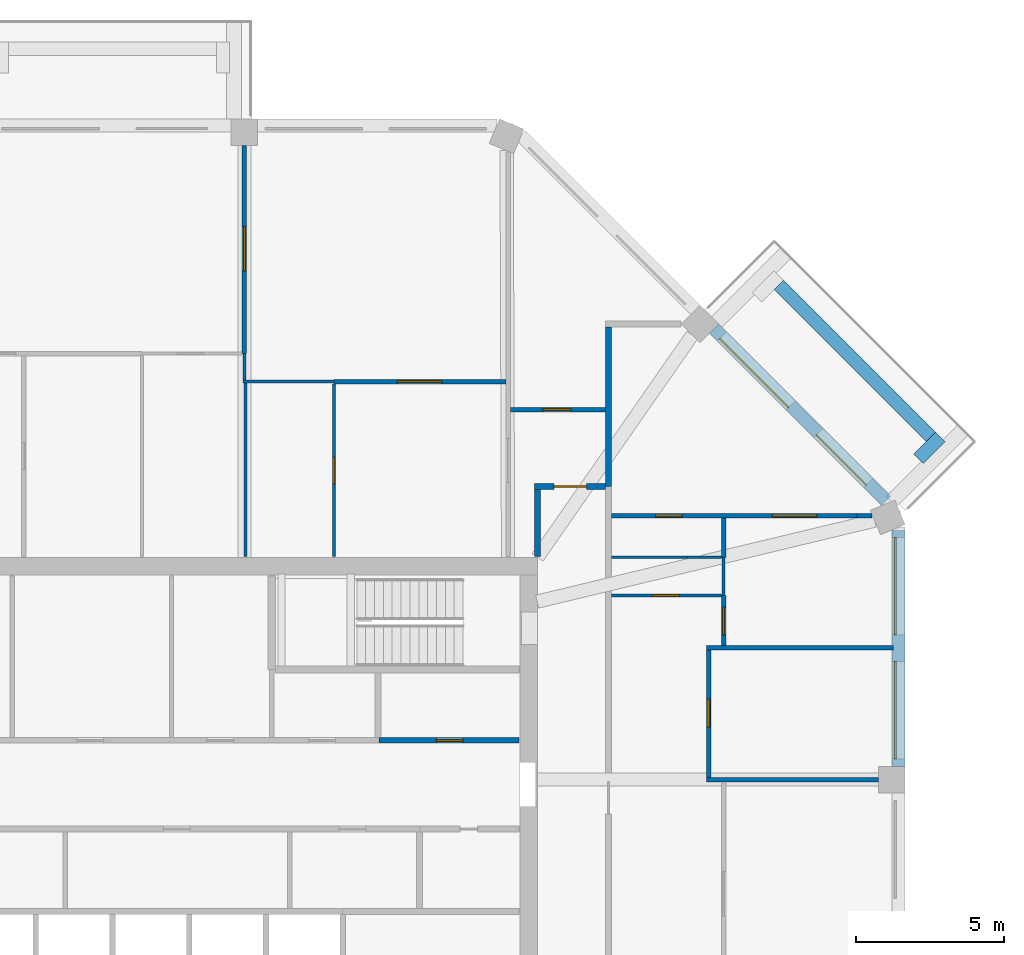
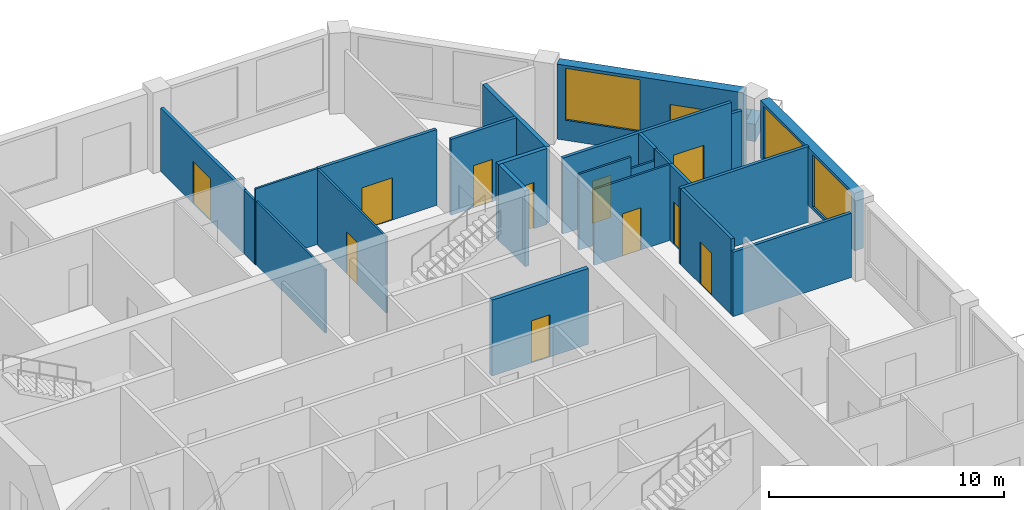
# One storey, part 9 of 11: 26 walls, 12 doors, 3 windows, 15 openings.
"""IFC4 building model written with IfcOpenShell, lengths in metres."""

import ifcopenshell
import ifcopenshell.guid

model = None  # the IFC model being written
_history = None  # IfcOwnerHistory: only IFC2X3 demands one
_inside = {}  # id of a spatial element -> (the spatial element, [elements in it])
_under = {}  # id of a project, library or spatial element -> (it, [spatial elements below it])
_declared = {}  # id of a project -> (the project, [libraries it declares])
_typed = {}  # id of a type object -> (the type object, [elements of that type])
_made_of = {}  # id of a material, layer set ... -> (it, [elements and type objects made of it])


def new_model(schema):
    """Start an empty IFC model of exactly this schema.

    Asked for "IFC4X3", IfcOpenShell would pick the latest addendum, in which some entities
    have other attributes; the version numbers below select the first issue.
    IFC2X3 requires an IfcOwnerHistory on every rooted entity: one is made here for all.
    """
    global model, _history
    if schema == "IFC4X3":
        model = ifcopenshell.file(schema_version=(4, 3, 0, 0))
    else:
        model = ifcopenshell.file(schema=schema)
    _inside.clear()
    _under.clear()
    _declared.clear()
    _typed.clear()
    _made_of.clear()
    _history = None
    if model.schema == "IFC2X3":
        org = make("IfcOrganization", Name="unknown")
        user = make(
            "IfcPersonAndOrganization",
            ThePerson=make("IfcPerson", FamilyName="unknown"),
            TheOrganization=org,
        )
        app = make(
            "IfcApplication",
            ApplicationDeveloper=org,
            Version="unknown",
            ApplicationFullName="unknown",
            ApplicationIdentifier="unknown",
        )
        _history = make(
            "IfcOwnerHistory",
            OwningUser=user,
            OwningApplication=app,
            ChangeAction="ADDED",
            CreationDate=0,
        )
    return model


def make(cls, **values):
    """One entity of the class cls with the attributes given. An attribute that is None is left unset."""
    return model.create_entity(
        cls, **{name: value for name, value in values.items() if value is not None}
    )


def rooted(cls, **values):
    """An entity with a GlobalId (a new one), such as an element, a storey or a relation."""
    return make(cls, GlobalId=ifcopenshell.guid.new(), OwnerHistory=_history, **values)


def si_unit(unit_type, name, prefix=None):
    """IfcSIUnit, for example si_unit("LENGTHUNIT", "METRE", prefix="MILLI")."""
    return make("IfcSIUnit", UnitType=unit_type, Prefix=prefix, Name=name)


def assignment(units):
    """IfcUnitAssignment: the units of a project."""
    return None if units is None else make("IfcUnitAssignment", Units=units)


def point(xyz):
    """IfcCartesianPoint."""
    return None if xyz is None else make("IfcCartesianPoint", Coordinates=xyz)


def direction(xyz):
    """IfcDirection."""
    return None if xyz is None else make("IfcDirection", DirectionRatios=xyz)


def frame(location, z_axis=None, x_axis=None):
    """IfcAxis2Placement3D, a coordinate frame: its origin and axes. An axis left out is left unset."""
    return make(
        "IfcAxis2Placement3D",
        Location=point(location),
        Axis=direction(z_axis),
        RefDirection=direction(x_axis),
    )


def frame_2d(location, x_axis=None):
    """IfcAxis2Placement2D, a coordinate frame in the plane: its origin and x axis."""
    return make(
        "IfcAxis2Placement2D", Location=point(location), RefDirection=direction(x_axis)
    )


def origin():
    """The frame at (0, 0, 0) with its axes left unset."""
    return frame((0.0, 0.0, 0.0))


def place(relative_to, where):
    """IfcLocalPlacement: puts the frame where relative to a parent placement (None: the world)."""
    return make(
        "IfcLocalPlacement", PlacementRelTo=relative_to, RelativePlacement=where
    )


def context(
    kind, dimensions, precision=None, world=None, true_north=None, identifier=None
):
    """IfcGeometricRepresentationContext, for example the 3D "Model" context."""
    return make(
        "IfcGeometricRepresentationContext",
        ContextIdentifier=identifier,
        ContextType=kind,
        CoordinateSpaceDimension=dimensions,
        Precision=precision,
        WorldCoordinateSystem=world,
        TrueNorth=true_north,
    )


def subcontext(parent, identifier, kind, view, scale=None):
    """IfcGeometricRepresentationSubContext, for example "Body" below "Model"."""
    return make(
        "IfcGeometricRepresentationSubContext",
        ContextIdentifier=identifier,
        ContextType=kind,
        ParentContext=parent,
        TargetScale=scale,
        TargetView=view,
    )


def project(units=None, contexts=None):
    """IfcProject with its units and contexts."""
    return rooted(
        "IfcProject",
        Name="project",
        RepresentationContexts=contexts,
        UnitsInContext=assignment(units),
    )


def spatial(cls, under=None, at=None, **own):
    """A site, building, storey or space (cls), placed at a placement, below another one or the project."""
    s = rooted(cls, ObjectPlacement=at, **own)
    if under is not None:
        _under.setdefault(under.id(), (under, []))[1].append(s)
    return s


def profile(cls, at=None, kind="AREA", **sizes):
    """A parametric profile (cls). Its sizes go by their IFC names, for example OverallWidth=200.0."""
    return make(cls, ProfileType=kind, Position=at, **sizes)


def rectangle(**sizes):
    """IfcRectangleProfileDef."""
    return profile("IfcRectangleProfileDef", **sizes)


def extrude(swept, where, along, depth):
    """IfcExtrudedAreaSolid: the profile swept, set in the frame where, extruded along a direction by depth."""
    return make(
        "IfcExtrudedAreaSolid",
        SweptArea=swept,
        Position=where,
        ExtrudedDirection=direction(along),
        Depth=depth,
    )


def shape(context_of_items, identifier, shape_type, items):
    """IfcShapeRepresentation: the items that make up one representation, for example the "Body"."""
    return make(
        "IfcShapeRepresentation",
        ContextOfItems=context_of_items,
        RepresentationIdentifier=identifier,
        RepresentationType=shape_type,
        Items=items,
    )


def material(Name=None, Category=None):
    """IfcMaterial."""
    return make("IfcMaterial", Name=Name, Category=Category)


def layer(
    of_material, thickness, ventilated=None, Name=None, Category=None, Priority=None
):
    """IfcMaterialLayer: one layer of a wall or slab, of a material (None: an air gap)."""
    return make(
        "IfcMaterialLayer",
        Material=of_material,
        LayerThickness=thickness,
        IsVentilated=ventilated,
        Name=Name,
        Category=Category,
        Priority=Priority,
    )


def layer_set(layers, Name=None):
    """IfcMaterialLayerSet."""
    return make("IfcMaterialLayerSet", MaterialLayers=layers, LayerSetName=Name)


def made_of(thing, what):
    """Note that an element or type object is made of a material, layer set ...; save() writes the relation."""
    if what is not None:
        _made_of.setdefault(what.id(), (what, []))[1].append(thing)
    return thing


def type_object(cls, material=None, **own):
    """A type object (cls), such as IfcWallType, which elements share."""
    return made_of(rooted(cls, **own), material)


def element(
    cls,
    number,
    at=None,
    inside=None,
    cuts=None,
    type_object=None,
    material=None,
    context=None,
    identifier="Body",
    shape_type=None,
    held_by="IfcProductDefinitionShape",
    body=None,
    shapes=None,
    **own,
):
    """One element of the class cls, such as IfcWall. Its Tag is "e" and its number.

    at: its placement. inside: the storey or other place that contains it. cuts: it is an
    opening in that element (IfcRelVoidsElement). A single representation is given by context,
    identifier, shape_type and body (its items); several are given by shapes. held_by: the class
    of the entity that holds the representations. save() writes the other relations.
    """
    e = rooted(cls, Tag="e%d" % number, ObjectPlacement=at, **own)
    if body is not None:
        shapes = [shape(context, identifier, shape_type, body)]
    if shapes is not None:
        e.Representation = make(held_by, Representations=shapes)
    if inside is not None:
        _inside.setdefault(inside.id(), (inside, []))[1].append(e)
    if cuts is not None:
        rooted(
            "IfcRelVoidsElement", RelatingBuildingElement=cuts, RelatedOpeningElement=e
        )
    if type_object is not None:
        _typed.setdefault(type_object.id(), (type_object, []))[1].append(e)
    return made_of(e, material)


def fill(opening, filler):
    """IfcRelFillsElement: the door or window that sits in an opening."""
    return rooted(
        "IfcRelFillsElement",
        RelatingOpeningElement=opening,
        RelatedBuildingElement=filler,
    )


def aggregate(whole, parts):
    """IfcRelAggregates: a whole, such as a stair, and the parts it consists of."""
    return rooted("IfcRelAggregates", RelatingObject=whole, RelatedObjects=parts)


def save(model, path):
    """Write the relations noted so far, then the file.

    IfcRelAggregates (storeys below a building ...), IfcRelContainedInSpatialStructure (elements
    in a storey), IfcRelDefinesByType, IfcRelAssociatesMaterial and IfcRelDeclares: one each for
    every whole, place, type object, material and project.
    """
    for whole, parts in _under.values():
        aggregate(whole, parts)
    for where, things in _inside.values():
        rooted(
            "IfcRelContainedInSpatialStructure",
            RelatedElements=things,
            RelatingStructure=where,
        )
    for kind, things in _typed.values():
        rooted("IfcRelDefinesByType", RelatedObjects=things, RelatingType=kind)
    for what, things in _made_of.values():
        rooted("IfcRelAssociatesMaterial", RelatedObjects=things, RelatingMaterial=what)
    for by, libraries in _declared.values():
        rooted("IfcRelDeclares", RelatingContext=by, RelatedDefinitions=libraries)
    model.write(path)


model = new_model("IFC4")

# Units and contexts
model_context = context("Model", 3, precision=1e-05, world=origin(), true_north=direction((0.0, 1.0)))
body_context = subcontext(model_context, "Body", "Model", "MODEL_VIEW")
ifc_project = project(units=[si_unit("LENGTHUNIT", "METRE"), si_unit("AREAUNIT", "SQUARE_METRE"), si_unit("VOLUMEUNIT", "CUBIC_METRE"), si_unit("PLANEANGLEUNIT", "RADIAN"), si_unit("MASSUNIT", "GRAM", prefix="KILO")], contexts=[model_context])

# Site, building, storey
site_placement = place(None, origin())
site = spatial("IfcSite", under=ifc_project, at=site_placement, CompositionType="ELEMENT")
building_placement = place(site_placement, origin())
building = spatial("IfcBuilding", under=site, at=building_placement, Name="Msitu Wima Residences", CompositionType="ELEMENT")
storey_placement = place(building_placement, frame((0.0, 0.0, 297.89990234375)))
storey = spatial("IfcBuildingStorey", under=building, at=storey_placement, Name="L69", CompositionType="ELEMENT", Elevation=297.89990234375)

# Walls
ifc_material_1 = material(Name="Facing brick")
ifc_layer_1 = layer(ifc_material_1, 0.06494140625, Name="Facing brick")
ifc_material_2 = material(Name="Concrete C40/50", Category="concrete")
ifc_layer_2 = layer(ifc_material_2, 0.156005859375, Name="Concrete C40/50")
ifc_material_3 = material(Name="Waterproofing membrane")
ifc_layer_3 = layer(ifc_material_3, 0.00390625, Name="Waterproofing membrane")
ifc_material_4 = material(Name="Planting soil and planting")
ifc_layer_4 = layer(ifc_material_4, 0.22509765625, Name="Planting soil and planting")
ifc_layer_set_1 = layer_set([ifc_layer_1, ifc_layer_2, ifc_layer_3, ifc_layer_4], Name="Concrete C40/50")
wall_type_1 = type_object("IfcWallType", Name="Balcony planter PLANTER PL450", PredefinedType="USERDEFINED", material=ifc_layer_set_1)
wall_1_placement = place(storey_placement, frame((27.725830078125, 16.0751953125, 0.0), z_axis=(0.0, 0.0, 1.0), x_axis=(-0.707106781187, 0.707106781187, 0.0)))
element("IfcWall", 1, at=wall_1_placement, inside=storey, type_object=wall_type_1, Name="Balcony planter NE0 L69", ObjectType="PLANTER", PredefinedType="USERDEFINED", context=body_context, shape_type="SweptSolid", body=[
    extrude(rectangle(XDim=7.288330078125, YDim=0.449951171875, at=frame_2d((3.64404296875, 0.0))), origin(), (0.0, 0.0, 1.0), 0.900146484375),
])
wall_2_placement = place(storey_placement, frame((27.301513671875, 15.332763671875, 0.0), z_axis=(0.0, 0.0, 1.0), x_axis=(0.707106781187, 0.707106781187, 0.0)))
element("IfcWall", 2, at=wall_2_placement, inside=storey, type_object=wall_type_1, Name="Balcony planter NE0 L69", ObjectType="PLANTER", PredefinedType="USERDEFINED", context=body_context, shape_type="SweptSolid", body=[
    extrude(rectangle(XDim=1.050048828125, YDim=0.449951171875, at=frame_2d((0.52490234375, 0.0))), origin(), (0.0, 0.0, 1.0), 0.900146484375),
])

# Wall, openings, windows
ifc_material_5 = material(Name="Brick (red buff mix)", Category="masonry")
ifc_layer_5 = layer(ifc_material_5, 0.449951171875)
ifc_layer_set_2 = layer_set([ifc_layer_5], Name="Brick (red buff mix)")
wall_type_2 = type_object("IfcWallType", Name="Brick infill wall BW450", PredefinedType="SOLIDWALL", material=ifc_layer_set_2)
wall_3_placement = place(storey_placement, frame((26.625, 4.918701171875, 0.900146484375), z_axis=(0.0, 0.0, 1.0), x_axis=(0.0, 1.0, 0.0)))
wall_3 = element("IfcWall", 3, at=wall_3_placement, inside=storey, type_object=wall_type_2, Name="Brick infill wall L69 E2", PredefinedType="SOLIDWALL", context=body_context, shape_type="SweptSolid", body=[
    extrude(rectangle(XDim=8.0, YDim=0.449951171875, at=frame_2d((4.0, 0.0))), origin(), (0.0, 0.0, 1.0), 3.0),
])
opening_1_placement = place(wall_3_placement, frame((0.25, 0.0, 0.14990234375)))
opening_1 = element("IfcOpeningElement", 4, at=opening_1_placement, cuts=wall_3, Name="Opening W68-70.004", PredefinedType="OPENING", context=body_context, shape_type="SweptSolid", body=[
    extrude(rectangle(XDim=3.300048828125, YDim=2.699951171875, at=frame_2d((1.64990234375, 1.35009765625))), frame((0.0, 0.23486328125, 0.0), z_axis=(0.0, -1.0, 0.0), x_axis=(1.0, 0.0, 0.0)), (0.0, 0.0, 1.0), 0.469970703125),
])
opening_2_placement = place(wall_3_placement, frame((4.4501953125, 0.0, 0.14990234375)))
opening_2 = element("IfcOpeningElement", 5, at=opening_2_placement, cuts=wall_3, Name="Opening W68-70.005", PredefinedType="OPENING", context=body_context, shape_type="SweptSolid", body=[
    extrude(rectangle(XDim=3.300048828125, YDim=2.699951171875, at=frame_2d((1.64990234375, 1.35009765625))), frame((0.0, 0.23486328125, 0.0), z_axis=(0.0, -1.0, 0.0), x_axis=(1.0, 0.0, 0.0)), (0.0, 0.0, 1.0), 0.469970703125),
])
ifc_material_6 = material(Name="Anodised aluminium, bronze finish, clear low-emissivity double glazing", Category="aluminium")
window_type = type_object("IfcWindowType", Name="Window W3300x2700", PartitioningType="DOUBLE_PANEL_VERTICAL", PredefinedType="WINDOW", material=ifc_material_6)
window_1_placement = place(opening_1_placement, origin())
window_1 = element("IfcWindow", 6, at=window_1_placement, inside=storey, type_object=window_type, Name="Window L69 E2.1", OverallHeight=2.699951171875, OverallWidth=3.300048828125, PartitioningType="SINGLE_PANEL", PredefinedType="WINDOW", context=body_context, shape_type="SweptSolid", body=[
    extrude(rectangle(XDim=3.300048828125, YDim=2.699951171875, at=frame_2d((1.64990234375, 1.35009765625))), frame((0.0, 0.135009765625, 0.0), z_axis=(0.0, -1.0, 0.0), x_axis=(1.0, 0.0, 0.0)), (0.0, 0.0, 1.0), 0.06005859375),
])
fill(opening_1, window_1)
window_2_placement = place(opening_2_placement, origin())
window_2 = element("IfcWindow", 7, at=window_2_placement, inside=storey, type_object=window_type, Name="Window L69 E2.2", OverallHeight=2.699951171875, OverallWidth=3.300048828125, PartitioningType="SINGLE_PANEL", PredefinedType="WINDOW", context=body_context, shape_type="SweptSolid", body=[
    extrude(rectangle(XDim=3.300048828125, YDim=2.699951171875, at=frame_2d((1.64990234375, 1.35009765625))), frame((0.0, 0.135009765625, 0.0), z_axis=(0.0, -1.0, 0.0), x_axis=(1.0, 0.0, 0.0)), (0.0, 0.0, 1.0), 0.06005859375),
])
fill(opening_2, window_2)

# Wall, openings, door, window
wall_4_placement = place(storey_placement, frame((26.214599609375, 13.909423828125, 0.0), z_axis=(0.0, 0.0, 1.0), x_axis=(-0.707106781187, 0.707106781187, 0.0)))
wall_4 = element("IfcWall", 8, at=wall_4_placement, inside=storey, type_object=wall_type_2, Name="Brick infill wall L69 NE0", PredefinedType="SOLIDWALL", context=body_context, shape_type="SweptSolid", body=[
    extrude(rectangle(XDim=8.251220703125, YDim=0.449951171875, at=frame_2d((4.12548828125, 0.0))), origin(), (0.0, 0.0, 1.0), 3.900146484375),
])
opening_3_placement = place(wall_4_placement, frame((0.86279296875, 0.0, 0.0)))
opening_3 = element("IfcOpeningElement", 9, at=opening_3_placement, cuts=wall_4, Name="Opening D68-70.003", PredefinedType="OPENING", context=body_context, shape_type="SweptSolid", body=[
    extrude(rectangle(XDim=2.39990234375, YDim=2.699951171875, at=frame_2d((1.199951171875, 1.35009765625))), frame((0.0, 0.23486328125, 0.0), z_axis=(0.0, -1.0, 0.0), x_axis=(1.0, 0.0, 0.0)), (0.0, 0.0, 1.0), 0.469970703125),
])
opening_4_placement = place(wall_4_placement, frame((4.57568359375, 0.0, 1.050048828125)))
opening_4 = element("IfcOpeningElement", 10, at=opening_4_placement, cuts=wall_4, Name="Opening W68-70.011", PredefinedType="OPENING", context=body_context, shape_type="SweptSolid", body=[
    extrude(rectangle(XDim=3.300048828125, YDim=2.699951171875, at=frame_2d((1.64990234375, 1.35009765625))), frame((0.0, 0.23486328125, 0.0), z_axis=(0.0, -1.0, 0.0), x_axis=(1.0, 0.0, 0.0)), (0.0, 0.0, 1.0), 0.469970703125),
])
door_type_1 = type_object("IfcDoorType", Name="Balcony door D2400x2700", OperationType="SLIDING_TO_LEFT", PredefinedType="DOOR", material=ifc_material_6)
door_1_placement = place(opening_3_placement, origin())
door_1 = element("IfcDoor", 11, at=door_1_placement, inside=storey, type_object=door_type_1, Name="Balcony door L69 NE0", OperationType="SINGLE_SWING_LEFT", OverallHeight=2.699951171875, OverallWidth=2.39990234375, PredefinedType="DOOR", context=body_context, shape_type="SweptSolid", body=[
    extrude(rectangle(XDim=2.39990234375, YDim=2.699951171875, at=frame_2d((1.199951171875, 1.35009765625))), frame((0.0, 0.1298828125, 0.0), z_axis=(0.0, -1.0, 0.0), x_axis=(1.0, 0.0, 0.0)), (0.0, 0.0, 1.0), 0.050048828125),
])
fill(opening_3, door_1)
window_3_placement = place(opening_4_placement, origin())
window_3 = element("IfcWindow", 12, at=window_3_placement, inside=storey, type_object=window_type, Name="Window L69 NE0.2", OverallHeight=2.699951171875, OverallWidth=3.300048828125, PartitioningType="SINGLE_PANEL", PredefinedType="WINDOW", context=body_context, shape_type="SweptSolid", body=[
    extrude(rectangle(XDim=3.300048828125, YDim=2.699951171875, at=frame_2d((1.64990234375, 1.35009765625))), frame((0.0, 0.135009765625, 0.0), z_axis=(0.0, -1.0, 0.0), x_axis=(1.0, 0.0, 0.0)), (0.0, 0.0, 1.0), 0.06005859375),
])
fill(opening_4, window_3)

# Wall
ifc_material_7 = material(Name="Plaster")
ifc_layer_6 = layer(ifc_material_7, 0.011962890625, Name="Plaster")
ifc_material_8 = material(Name="Concrete blockwork", Category="masonry")
ifc_layer_7 = layer(ifc_material_8, 0.176025390625, Name="Concrete blockwork")
ifc_layer_8 = layer(ifc_material_7, 0.011962890625, Name="Plaster")
ifc_layer_set_3 = layer_set([ifc_layer_6, ifc_layer_7, ifc_layer_8], Name="Concrete blockwork")
wall_type_3 = type_object("IfcWallType", Name="Corridor wall FW200", PredefinedType="PARTITIONING", material=ifc_layer_set_3)
wall_5_placement = place(storey_placement, frame((14.39990234375, 12.030029296875, 0.0), z_axis=(0.0, 0.0, 1.0), x_axis=(0.0, 1.0, 0.0)))
element("IfcWall", 13, at=wall_5_placement, inside=storey, type_object=wall_type_3, Name="Corridor wall", PredefinedType="PARTITIONING", context=body_context, shape_type="SweptSolid", body=[
    extrude(rectangle(XDim=2.27001953125, YDim=0.199951171875, at=frame_2d((1.135009765625, 0.0))), origin(), (0.0, 0.0, 1.0), 3.9501953125),
])

# Wall, opening, door
wall_6_placement = place(storey_placement, frame((14.300048828125, 14.39990234375, 0.0), z_axis=(0.0, 0.0, 1.0), x_axis=(1.0, 0.0, 0.0)))
wall_6 = element("IfcWall", 14, at=wall_6_placement, inside=storey, type_object=wall_type_3, Name="Corridor wall", PredefinedType="PARTITIONING", context=body_context, shape_type="SweptSolid", body=[
    extrude(rectangle(XDim=2.39990234375, YDim=0.199951171875, at=frame_2d((1.199951171875, 0.0))), origin(), (0.0, 0.0, 1.0), 3.9501953125),
])
opening_5_placement = place(wall_6_placement, frame((0.64990234375, 0.0, 0.0)))
opening_5 = element("IfcOpeningElement", 15, at=opening_5_placement, cuts=wall_6, Name="Opening D68-70.021", PredefinedType="OPENING", context=body_context, shape_type="SweptSolid", body=[
    extrude(rectangle(XDim=1.10009765625, YDim=2.39990234375, at=frame_2d((0.550048828125, 1.199951171875))), frame((0.0, 0.10986328125, 0.0), z_axis=(0.0, -1.0, 0.0), x_axis=(1.0, 0.0, 0.0)), (0.0, 0.0, 1.0), 0.219970703125),
])
ifc_material_9 = material(Name="Timber flush door, fire resisting, self-closing", Category="wood")
door_type_2 = type_object("IfcDoorType", Name="Flat entrance door D01 1100x2400", OperationType="SINGLE_SWING_LEFT", PredefinedType="DOOR", material=ifc_material_9)
door_2_placement = place(opening_5_placement, origin())
door_2 = element("IfcDoor", 16, at=door_2_placement, inside=storey, type_object=door_type_2, Name="Flat entrance door", OperationType="SINGLE_SWING_RIGHT", OverallHeight=2.39990234375, OverallWidth=1.10009765625, PredefinedType="DOOR", context=body_context, shape_type="SweptSolid", body=[
    extrude(rectangle(XDim=1.10009765625, YDim=2.39990234375, at=frame_2d((0.550048828125, 1.199951171875))), frame((0.0, 0.02490234375, 0.0), z_axis=(0.0, -1.0, 0.0), x_axis=(1.0, 0.0, 0.0)), (0.0, 0.0, 1.0), 0.050048828125),
])
fill(opening_5, door_2)

ifc_layer_9 = layer(ifc_material_7, 0.011962890625, Name="Plaster")
ifc_layer_10 = layer(ifc_material_8, 0.1259765625, Name="Concrete blockwork")
ifc_layer_11 = layer(ifc_material_7, 0.011962890625, Name="Plaster")
ifc_layer_set_4 = layer_set([ifc_layer_9, ifc_layer_10, ifc_layer_11], Name="Concrete blockwork")
wall_type_4 = type_object("IfcWallType", Name="Partition PW150", PredefinedType="PARTITIONING", material=ifc_layer_set_4)
wall_7_placement = place(storey_placement, frame((4.46875, 18.89990234375, 0.0), z_axis=(0.0, 0.0, 1.0), x_axis=(0.0, 1.0, 0.0)))
wall_7 = element("IfcWall", 17, at=wall_7_placement, inside=storey, type_object=wall_type_4, Name="Partition", PredefinedType="PARTITIONING", context=body_context, shape_type="SweptSolid", body=[
    extrude(rectangle(XDim=7.050048828125, YDim=0.14990234375, at=frame_2d((3.52490234375, 0.0))), origin(), (0.0, 0.0, 1.0), 3.300048828125),
])
opening_6_placement = place(wall_7_placement, frame((2.800048828125, 0.0, 0.0)))
opening_6 = element("IfcOpeningElement", 18, at=opening_6_placement, cuts=wall_7, Name="Opening D68-70.029", PredefinedType="OPENING", context=body_context, shape_type="SweptSolid", body=[
    extrude(rectangle(XDim=1.5, YDim=2.199951171875, at=frame_2d((0.75, 1.10009765625))), frame((0.0, 0.0849609375, 0.0), z_axis=(0.0, -1.0, 0.0), x_axis=(1.0, 0.0, 0.0)), (0.0, 0.0, 1.0), 0.169921875),
])
ifc_material_10 = material(Name="Timber double door", Category="wood")
door_type_3 = type_object("IfcDoorType", Name="Double door D04 1500x2200", OperationType="DOUBLE_DOOR_SINGLE_SWING", PredefinedType="DOOR", material=ifc_material_10)
door_3_placement = place(opening_6_placement, origin())
door_3 = element("IfcDoor", 19, at=door_3_placement, inside=storey, type_object=door_type_3, Name="Double door", OperationType="DOUBLE_DOOR_SINGLE_SWING", OverallHeight=2.199951171875, OverallWidth=1.5, PredefinedType="DOOR", context=body_context, shape_type="SweptSolid", body=[
    extrude(rectangle(XDim=1.5, YDim=2.199951171875, at=frame_2d((0.75, 1.10009765625))), frame((0.0, 0.02490234375, 0.0), z_axis=(0.0, -1.0, 0.0), x_axis=(1.0, 0.0, 0.0)), (0.0, 0.0, 1.0), 0.050048828125),
])
fill(opening_6, door_3)

wall_8_placement = place(storey_placement, frame((7.5, 17.949951171875, 0.0), z_axis=(0.0, 0.0, 1.0), x_axis=(1.0, 0.0, 0.0)))
wall_8 = element("IfcWall", 20, at=wall_8_placement, inside=storey, type_object=wall_type_4, Name="Partition", PredefinedType="PARTITIONING", context=body_context, shape_type="SweptSolid", body=[
    extrude(rectangle(XDim=5.830810546875, YDim=0.14990234375, at=frame_2d((2.91552734375, 0.0))), origin(), (0.0, 0.0, 1.0), 3.9501953125),
])
opening_7_placement = place(wall_8_placement, frame((2.14990234375, 0.0, 0.0)))
opening_7 = element("IfcOpeningElement", 21, at=opening_7_placement, cuts=wall_8, Name="Opening D68-70.026", PredefinedType="OPENING", context=body_context, shape_type="SweptSolid", body=[
    extrude(rectangle(XDim=1.5, YDim=2.199951171875, at=frame_2d((0.75, 1.10009765625))), frame((0.0, 0.0849609375, 0.0), z_axis=(0.0, -1.0, 0.0), x_axis=(1.0, 0.0, 0.0)), (0.0, 0.0, 1.0), 0.169921875),
])
door_4_placement = place(opening_7_placement, origin())
door_4 = element("IfcDoor", 22, at=door_4_placement, inside=storey, type_object=door_type_3, Name="Double door", OperationType="DOUBLE_DOOR_SINGLE_SWING", OverallHeight=2.199951171875, OverallWidth=1.5, PredefinedType="DOOR", context=body_context, shape_type="SweptSolid", body=[
    extrude(rectangle(XDim=1.5, YDim=2.199951171875, at=frame_2d((0.75, 1.10009765625))), frame((0.0, 0.02490234375, 0.0), z_axis=(0.0, -1.0, 0.0), x_axis=(1.0, 0.0, 0.0)), (0.0, 0.0, 1.0), 0.050048828125),
])
fill(opening_7, door_4)

wall_9_placement = place(storey_placement, frame((13.48095703125, 17.0, 0.0), z_axis=(0.0, 0.0, 1.0), x_axis=(1.0, 0.0, 0.0)))
wall_9 = element("IfcWall", 23, at=wall_9_placement, inside=storey, type_object=wall_type_4, Name="Partition", PredefinedType="PARTITIONING", context=body_context, shape_type="SweptSolid", body=[
    extrude(rectangle(XDim=3.218994140625, YDim=0.14990234375, at=frame_2d((1.609375, 0.0))), origin(), (0.0, 0.0, 1.0), 3.9501953125),
])
opening_8_placement = place(wall_9_placement, frame((1.10009765625, 0.0, 0.0)))
opening_8 = element("IfcOpeningElement", 24, at=opening_8_placement, cuts=wall_9, Name="Opening D68-70.027", PredefinedType="OPENING", context=body_context, shape_type="SweptSolid", body=[
    extrude(rectangle(XDim=0.949951171875, YDim=2.199951171875, at=frame_2d((0.47509765625, 1.10009765625))), frame((0.0, 0.0849609375, 0.0), z_axis=(0.0, -1.0, 0.0), x_axis=(1.0, 0.0, 0.0)), (0.0, 0.0, 1.0), 0.169921875),
])
ifc_material_11 = material(Name="Timber flush door", Category="wood")
door_type_4 = type_object("IfcDoorType", Name="Room door D12 950x2200", OperationType="SINGLE_SWING_LEFT", PredefinedType="DOOR", material=ifc_material_11)
door_5_placement = place(opening_8_placement, origin())
door_5 = element("IfcDoor", 25, at=door_5_placement, inside=storey, type_object=door_type_4, Name="Room door", OperationType="SINGLE_SWING_LEFT", OverallHeight=2.199951171875, OverallWidth=0.949951171875, PredefinedType="DOOR", context=body_context, shape_type="SweptSolid", body=[
    extrude(rectangle(XDim=0.949951171875, YDim=2.199951171875, at=frame_2d((0.47509765625, 1.10009765625))), frame((0.0, 0.02490234375, 0.0), z_axis=(0.0, -1.0, 0.0), x_axis=(1.0, 0.0, 0.0)), (0.0, 0.0, 1.0), 0.050048828125),
])
fill(opening_8, door_5)

# Wall, openings, doors
wall_10_placement = place(storey_placement, frame((16.89990234375, 13.406005859375, 0.0), z_axis=(0.0, 0.0, 1.0), x_axis=(1.0, 0.0, 0.0)))
wall_10 = element("IfcWall", 26, at=wall_10_placement, inside=storey, type_object=wall_type_4, Name="Partition", PredefinedType="PARTITIONING", context=body_context, shape_type="SweptSolid", body=[
    extrude(rectangle(XDim=8.32421875, YDim=0.14990234375, at=frame_2d((4.162109375, 0.0))), origin(), (0.0, 0.0, 1.0), 3.9501953125),
])
opening_9_placement = place(wall_10_placement, frame((5.449951171875, 0.0, 0.0)))
opening_9 = element("IfcOpeningElement", 27, at=opening_9_placement, cuts=wall_10, Name="Opening D68-70.017", PredefinedType="OPENING", context=body_context, shape_type="SweptSolid", body=[
    extrude(rectangle(XDim=1.5, YDim=2.199951171875, at=frame_2d((0.75, 1.10009765625))), frame((0.0, 0.0849609375, 0.0), z_axis=(0.0, -1.0, 0.0), x_axis=(1.0, 0.0, 0.0)), (0.0, 0.0, 1.0), 0.169921875),
])
opening_10_placement = place(wall_10_placement, frame((1.5, 0.0, 0.0)))
opening_10 = element("IfcOpeningElement", 28, at=opening_10_placement, cuts=wall_10, Name="Opening D68-70.019", PredefinedType="OPENING", context=body_context, shape_type="SweptSolid", body=[
    extrude(rectangle(XDim=0.89990234375, YDim=2.199951171875, at=frame_2d((0.449951171875, 1.10009765625))), frame((0.0, 0.0849609375, 0.0), z_axis=(0.0, -1.0, 0.0), x_axis=(1.0, 0.0, 0.0)), (0.0, 0.0, 1.0), 0.169921875),
])
door_6_placement = place(opening_9_placement, origin())
door_6 = element("IfcDoor", 29, at=door_6_placement, inside=storey, type_object=door_type_3, Name="Double door", OperationType="DOUBLE_DOOR_SINGLE_SWING", OverallHeight=2.199951171875, OverallWidth=1.5, PredefinedType="DOOR", context=body_context, shape_type="SweptSolid", body=[
    extrude(rectangle(XDim=1.5, YDim=2.199951171875, at=frame_2d((0.75, 1.10009765625))), frame((0.0, 0.02490234375, 0.0), z_axis=(0.0, -1.0, 0.0), x_axis=(1.0, 0.0, 0.0)), (0.0, 0.0, 1.0), 0.050048828125),
])
fill(opening_9, door_6)
door_type_5 = type_object("IfcDoorType", Name="Service door D05 900x2200", OperationType="SINGLE_SWING_LEFT", PredefinedType="DOOR", material=ifc_material_11)
door_7_placement = place(opening_10_placement, origin())
door_7 = element("IfcDoor", 30, at=door_7_placement, inside=storey, type_object=door_type_5, Name="Service door", OperationType="SINGLE_SWING_LEFT", OverallHeight=2.199951171875, OverallWidth=0.89990234375, PredefinedType="DOOR", context=body_context, shape_type="SweptSolid", body=[
    extrude(rectangle(XDim=0.89990234375, YDim=2.199951171875, at=frame_2d((0.449951171875, 1.10009765625))), frame((0.0, 0.02490234375, 0.0), z_axis=(0.0, -1.0, 0.0), x_axis=(1.0, 0.0, 0.0)), (0.0, 0.0, 1.0), 0.050048828125),
])
fill(opening_10, door_7)

# Wall
wall_11_placement = place(storey_placement, frame((25.22412109375, 13.406005859375, 0.0), z_axis=(0.0, 0.0, 1.0), x_axis=(1.0, 0.0, 0.0)))
element("IfcWall", 31, at=wall_11_placement, inside=storey, type_object=wall_type_4, Name="Partition", PredefinedType="PARTITIONING", context=body_context, shape_type="SweptSolid", body=[
    extrude(rectangle(XDim=0.507080078125, YDim=0.14990234375, at=frame_2d((0.25341796875, 0.0))), origin(), (0.0, 0.0, 1.0), 3.35009765625),
])

# Wall, opening, door
wall_12_placement = place(storey_placement, frame((20.199951171875, 4.543701171875, 0.0), z_axis=(0.0, 0.0, 1.0), x_axis=(0.0, 1.0, 0.0)))
wall_12 = element("IfcWall", 32, at=wall_12_placement, inside=storey, type_object=wall_type_4, Name="Partition", PredefinedType="PARTITIONING", context=body_context, shape_type="SweptSolid", body=[
    extrude(rectangle(XDim=4.318603515625, YDim=0.14990234375, at=frame_2d((2.1591796875, 0.0))), origin(), (0.0, 0.0, 1.0), 3.9501953125),
])
opening_11_placement = place(wall_12_placement, frame((1.699951171875, 0.0, 0.0)))
opening_11 = element("IfcOpeningElement", 33, at=opening_11_placement, cuts=wall_12, Name="Opening D68-70.015", PredefinedType="OPENING", context=body_context, shape_type="SweptSolid", body=[
    extrude(rectangle(XDim=0.949951171875, YDim=2.199951171875, at=frame_2d((0.47509765625, 1.10009765625))), frame((0.0, 0.0849609375, 0.0), z_axis=(0.0, -1.0, 0.0), x_axis=(1.0, 0.0, 0.0)), (0.0, 0.0, 1.0), 0.169921875),
])
door_8_placement = place(opening_11_placement, origin())
door_8 = element("IfcDoor", 34, at=door_8_placement, inside=storey, type_object=door_type_4, Name="Room door", OperationType="SINGLE_SWING_LEFT", OverallHeight=2.199951171875, OverallWidth=0.949951171875, PredefinedType="DOOR", context=body_context, shape_type="SweptSolid", body=[
    extrude(rectangle(XDim=0.949951171875, YDim=2.199951171875, at=frame_2d((0.47509765625, 1.10009765625))), frame((0.0, 0.02490234375, 0.0), z_axis=(0.0, -1.0, 0.0), x_axis=(1.0, 0.0, 0.0)), (0.0, 0.0, 1.0), 0.050048828125),
])
fill(opening_11, door_8)

# Walls
wall_13_placement = place(storey_placement, frame((20.125, 4.46875, 0.0), z_axis=(0.0, 0.0, 1.0), x_axis=(1.0, 0.0, 0.0)))
element("IfcWall", 35, at=wall_13_placement, inside=storey, type_object=wall_type_4, Name="Partition", PredefinedType="PARTITIONING", context=body_context, shape_type="SweptSolid", body=[
    extrude(rectangle(XDim=5.824951171875, YDim=0.14990234375, at=frame_2d((2.91259765625, 0.0))), origin(), (0.0, 0.0, 1.0), 3.35009765625),
])
wall_14_placement = place(storey_placement, frame((20.125, 8.937255859375, 0.0), z_axis=(0.0, 0.0, 1.0), x_axis=(1.0, 0.0, 0.0)))
element("IfcWall", 36, at=wall_14_placement, inside=storey, type_object=wall_type_4, Name="Partition", PredefinedType="PARTITIONING", context=body_context, shape_type="SweptSolid", body=[
    extrude(rectangle(XDim=6.330078125, YDim=0.14990234375, at=frame_2d((3.1650390625, 0.0))), origin(), (0.0, 0.0, 1.0), 3.9501953125),
])

# Wall, opening, door
wall_15_placement = place(storey_placement, frame((20.699951171875, 9.01220703125, 0.0), z_axis=(0.0, 0.0, 1.0), x_axis=(0.0, 1.0, 0.0)))
wall_15 = element("IfcWall", 37, at=wall_15_placement, inside=storey, type_object=wall_type_4, Name="Partition", PredefinedType="PARTITIONING", context=body_context, shape_type="SweptSolid", body=[
    extrude(rectangle(XDim=1.687744140625, YDim=0.14990234375, at=frame_2d((0.84375, 0.0))), origin(), (0.0, 0.0, 1.0), 3.9501953125),
])
opening_12_placement = place(wall_15_placement, frame((0.35009765625, 0.0, 0.0)))
opening_12 = element("IfcOpeningElement", 38, at=opening_12_placement, cuts=wall_15, Name="Opening D68-70.016", PredefinedType="OPENING", context=body_context, shape_type="SweptSolid", body=[
    extrude(rectangle(XDim=0.949951171875, YDim=2.199951171875, at=frame_2d((0.47509765625, 1.10009765625))), frame((0.0, 0.0849609375, 0.0), z_axis=(0.0, -1.0, 0.0), x_axis=(1.0, 0.0, 0.0)), (0.0, 0.0, 1.0), 0.169921875),
])
door_9_placement = place(opening_12_placement, origin())
door_9 = element("IfcDoor", 39, at=door_9_placement, inside=storey, type_object=door_type_4, Name="Room door", OperationType="SINGLE_SWING_RIGHT", OverallHeight=2.199951171875, OverallWidth=0.949951171875, PredefinedType="DOOR", context=body_context, shape_type="SweptSolid", body=[
    extrude(rectangle(XDim=0.949951171875, YDim=2.199951171875, at=frame_2d((0.47509765625, 1.10009765625))), frame((0.0, 0.02490234375, 0.0), z_axis=(0.0, -1.0, 0.0), x_axis=(1.0, 0.0, 0.0)), (0.0, 0.0, 1.0), 0.050048828125),
])
fill(opening_12, door_9)

# Walls
wall_16_placement = place(storey_placement, frame((20.699951171875, 12.0, 0.0), z_axis=(0.0, 0.0, 1.0), x_axis=(0.0, 1.0, 0.0)))
element("IfcWall", 40, at=wall_16_placement, inside=storey, type_object=wall_type_4, Name="Partition", PredefinedType="PARTITIONING", context=body_context, shape_type="SweptSolid", body=[
    extrude(rectangle(XDim=1.330810546875, YDim=0.14990234375, at=frame_2d((0.66552734375, 0.0))), origin(), (0.0, 0.0, 1.0), 3.9501953125),
])
ifc_layer_12 = layer(ifc_material_7, 0.011962890625, Name="Plaster")
ifc_material_12 = material(Name="Dense concrete blockwork", Category="masonry")
ifc_layer_13 = layer(ifc_material_12, 0.176025390625, Name="Dense concrete blockwork")
ifc_layer_14 = layer(ifc_material_7, 0.011962890625, Name="Plaster")
ifc_layer_set_5 = layer_set([ifc_layer_12, ifc_layer_13, ifc_layer_14], Name="Dense concrete blockwork")
wall_type_5 = type_object("IfcWallType", Name="Party wall PW200", PredefinedType="PARTITIONING", material=ifc_layer_set_5)
wall_17_placement = place(storey_placement, frame((16.800048828125, 14.39990234375, 0.0), z_axis=(0.0, 0.0, 1.0), x_axis=(0.0, 1.0, 0.0)))
element("IfcWall", 41, at=wall_17_placement, inside=storey, type_object=wall_type_5, Name="Party wall", PredefinedType="PARTITIONING", context=body_context, shape_type="SweptSolid", body=[
    extrude(rectangle(XDim=5.403076171875, YDim=0.199951171875, at=frame_2d((2.70166015625, 0.0))), origin(), (0.0, 0.0, 1.0), 3.9501953125),
])

# Wall, opening, door
ifc_layer_15 = layer(ifc_material_7, 0.011962890625, Name="Plaster")
ifc_material_13 = material(Name="Reinforced concrete blockwork", Category="masonry")
ifc_layer_16 = layer(ifc_material_13, 0.176025390625, Name="Reinforced concrete blockwork")
ifc_layer_17 = layer(ifc_material_7, 0.011962890625, Name="Plaster")
ifc_layer_set_6 = layer_set([ifc_layer_15, ifc_layer_16, ifc_layer_17], Name="Reinforced concrete blockwork")
wall_type_6 = type_object("IfcWallType", Name="Plant and riser wall PL200", PredefinedType="PARTITIONING", material=ifc_layer_set_6)
wall_18_placement = place(storey_placement, frame((9.02001953125, 5.800048828125, 0.0), z_axis=(0.0, 0.0, 1.0), x_axis=(1.0, 0.0, 0.0)))
wall_18 = element("IfcWall", 42, at=wall_18_placement, inside=storey, type_object=wall_type_6, Name="Plant and riser wall", PredefinedType="PARTITIONING", context=body_context, shape_type="SweptSolid", body=[
    extrude(rectangle(XDim=4.75, YDim=0.199951171875, at=frame_2d((2.375, 0.0))), origin(), (0.0, 0.0, 1.0), 3.9501953125),
])
opening_13_placement = place(wall_18_placement, frame((1.949951171875, 0.0, 0.0)))
opening_13 = element("IfcOpeningElement", 43, at=opening_13_placement, cuts=wall_18, Name="Opening D68-70.066", PredefinedType="OPENING", context=body_context, shape_type="SweptSolid", body=[
    extrude(rectangle(XDim=0.89990234375, YDim=2.199951171875, at=frame_2d((0.449951171875, 1.10009765625))), frame((0.0, 0.10986328125, 0.0), z_axis=(0.0, -1.0, 0.0), x_axis=(1.0, 0.0, 0.0)), (0.0, 0.0, 1.0), 0.219970703125),
])
door_10_placement = place(opening_13_placement, origin())
door_10 = element("IfcDoor", 44, at=door_10_placement, inside=storey, type_object=door_type_5, Name="Service door", OperationType="SINGLE_SWING_LEFT", OverallHeight=2.199951171875, OverallWidth=0.89990234375, PredefinedType="DOOR", context=body_context, shape_type="SweptSolid", body=[
    extrude(rectangle(XDim=0.89990234375, YDim=2.199951171875, at=frame_2d((0.449951171875, 1.10009765625))), frame((0.0, 0.02490234375, 0.0), z_axis=(0.0, -1.0, 0.0), x_axis=(1.0, 0.0, 0.0)), (0.0, 0.0, 1.0), 0.050048828125),
])
fill(opening_13, door_10)

# Walls
ifc_material_14 = material(Name="Ceramic tiles")
ifc_layer_18 = layer(ifc_material_14, 0.008056640625, Name="Ceramic tiles")
ifc_material_15 = material(Name="Moisture-resistant board")
ifc_layer_19 = layer(ifc_material_15, 0.012451171875, Name="Moisture-resistant board")
ifc_material_16 = material(Name="Light-gauge stud framing with mineral wool")
ifc_layer_20 = layer(ifc_material_16, 0.06689453125, Name="Light-gauge stud framing with mineral wool")
ifc_layer_21 = layer(ifc_material_15, 0.012451171875, Name="Moisture-resistant board")
ifc_layer_set_7 = layer_set([ifc_layer_18, ifc_layer_19, ifc_layer_20, ifc_layer_21], Name="Light-gauge stud framing with mineral wool")
wall_type_7 = type_object("IfcWallType", Name="Wet wall PW100", PredefinedType="PARTITIONING", material=ifc_layer_set_7)
wall_19_placement = place(storey_placement, frame((4.46875, 18.0, 0.0), z_axis=(0.0, 0.0, 1.0), x_axis=(0.0, 1.0, 0.0)))
element("IfcWall", 45, at=wall_19_placement, inside=storey, type_object=wall_type_7, Name="Wet wall", PredefinedType="PARTITIONING", context=body_context, shape_type="SweptSolid", body=[
    extrude(rectangle(XDim=0.89990234375, YDim=0.10009765625, at=frame_2d((0.449951171875, 0.0))), origin(), (0.0, 0.0, 1.0), 3.300048828125),
])
wall_20_placement = place(storey_placement, frame((4.418701171875, 17.949951171875, 0.0), z_axis=(0.0, 0.0, 1.0), x_axis=(1.0, 0.0, 0.0)))
element("IfcWall", 46, at=wall_20_placement, inside=storey, type_object=wall_type_7, Name="Wet wall", PredefinedType="PARTITIONING", context=body_context, shape_type="SweptSolid", body=[
    extrude(rectangle(XDim=3.081298828125, YDim=0.10009765625, at=frame_2d((1.54052734375, 0.0))), origin(), (0.0, 0.0, 1.0), 3.9501953125),
])
wall_21_placement = place(storey_placement, frame((4.5, 12.030029296875, 0.0), z_axis=(0.0, 0.0, 1.0), x_axis=(0.0, 1.0, 0.0)))
element("IfcWall", 47, at=wall_21_placement, inside=storey, type_object=wall_type_7, Name="Wet wall", PredefinedType="PARTITIONING", context=body_context, shape_type="SweptSolid", body=[
    extrude(rectangle(XDim=5.869873046875, YDim=0.10009765625, at=frame_2d((2.93505859375, 0.0))), origin(), (0.0, 0.0, 1.0), 3.300048828125),
])

# Wall, opening, door
wall_22_placement = place(storey_placement, frame((7.5, 12.030029296875, 0.0), z_axis=(0.0, 0.0, 1.0), x_axis=(0.0, 1.0, 0.0)))
wall_22 = element("IfcWall", 48, at=wall_22_placement, inside=storey, type_object=wall_type_7, Name="Wet wall", PredefinedType="PARTITIONING", context=body_context, shape_type="SweptSolid", body=[
    extrude(rectangle(XDim=5.844970703125, YDim=0.10009765625, at=frame_2d((2.92236328125, 0.0))), origin(), (0.0, 0.0, 1.0), 3.9501953125),
])
opening_14_placement = place(wall_22_placement, frame((2.449951171875, 0.0, 0.0)))
opening_14 = element("IfcOpeningElement", 49, at=opening_14_placement, cuts=wall_22, Name="Opening D68-70.028", PredefinedType="OPENING", context=body_context, shape_type="SweptSolid", body=[
    extrude(rectangle(XDim=0.89990234375, YDim=2.199951171875, at=frame_2d((0.449951171875, 1.10009765625))), frame((0.0, 0.06005859375, 0.0), z_axis=(0.0, -1.0, 0.0), x_axis=(1.0, 0.0, 0.0)), (0.0, 0.0, 1.0), 0.1201171875),
])
ifc_material_17 = material(Name="Timber flush door, moisture resistant", Category="wood")
door_type_6 = type_object("IfcDoorType", Name="Bathroom door D03 900x2200", OperationType="SINGLE_SWING_LEFT", PredefinedType="DOOR", material=ifc_material_17)
door_11_placement = place(opening_14_placement, origin())
door_11 = element("IfcDoor", 50, at=door_11_placement, inside=storey, type_object=door_type_6, Name="Bathroom door", OperationType="SINGLE_SWING_LEFT", OverallHeight=2.199951171875, OverallWidth=0.89990234375, PredefinedType="DOOR", context=body_context, shape_type="SweptSolid", body=[
    extrude(rectangle(XDim=0.89990234375, YDim=2.199951171875, at=frame_2d((0.449951171875, 1.10009765625))), frame((0.0, 0.02490234375, 0.0), z_axis=(0.0, -1.0, 0.0), x_axis=(1.0, 0.0, 0.0)), (0.0, 0.0, 1.0), 0.050048828125),
])
fill(opening_14, door_11)

wall_23_placement = place(storey_placement, frame((16.89990234375, 10.699951171875, 0.0), z_axis=(0.0, 0.0, 1.0), x_axis=(1.0, 0.0, 0.0)))
wall_23 = element("IfcWall", 51, at=wall_23_placement, inside=storey, type_object=wall_type_7, Name="Wet wall", PredefinedType="PARTITIONING", context=body_context, shape_type="SweptSolid", body=[
    extrude(rectangle(XDim=3.72509765625, YDim=0.10009765625, at=frame_2d((1.862548828125, 0.0))), origin(), (0.0, 0.0, 1.0), 3.9501953125),
])
opening_15_placement = place(wall_23_placement, frame((1.39990234375, 0.0, 0.0)))
opening_15 = element("IfcOpeningElement", 52, at=opening_15_placement, cuts=wall_23, Name="Opening D68-70.013", PredefinedType="OPENING", context=body_context, shape_type="SweptSolid", body=[
    extrude(rectangle(XDim=0.89990234375, YDim=2.199951171875, at=frame_2d((0.449951171875, 1.10009765625))), frame((0.0, 0.06005859375, 0.0), z_axis=(0.0, -1.0, 0.0), x_axis=(1.0, 0.0, 0.0)), (0.0, 0.0, 1.0), 0.1201171875),
])
door_12_placement = place(opening_15_placement, origin())
door_12 = element("IfcDoor", 53, at=door_12_placement, inside=storey, type_object=door_type_6, Name="Bathroom door", OperationType="SINGLE_SWING_LEFT", OverallHeight=2.199951171875, OverallWidth=0.89990234375, PredefinedType="DOOR", context=body_context, shape_type="SweptSolid", body=[
    extrude(rectangle(XDim=0.89990234375, YDim=2.199951171875, at=frame_2d((0.449951171875, 1.10009765625))), frame((0.0, 0.02490234375, 0.0), z_axis=(0.0, -1.0, 0.0), x_axis=(1.0, 0.0, 0.0)), (0.0, 0.0, 1.0), 0.050048828125),
])
fill(opening_15, door_12)

# Walls
wall_24_placement = place(storey_placement, frame((16.89990234375, 12.0, 0.0), z_axis=(0.0, 0.0, 1.0), x_axis=(1.0, 0.0, 0.0)))
element("IfcWall", 54, at=wall_24_placement, inside=storey, type_object=wall_type_7, Name="Wet wall", PredefinedType="PARTITIONING", context=body_context, shape_type="SweptSolid", body=[
    extrude(rectangle(XDim=2.57421875, YDim=0.10009765625, at=frame_2d((1.287109375, 0.0))), origin(), (0.0, 0.0, 1.0), 3.9501953125),
])
wall_25_placement = place(storey_placement, frame((19.47412109375, 12.0, 0.0), z_axis=(0.0, 0.0, 1.0), x_axis=(1.0, 0.0, 0.0)))
element("IfcWall", 55, at=wall_25_placement, inside=storey, type_object=wall_type_7, Name="Wet wall", PredefinedType="PARTITIONING", context=body_context, shape_type="SweptSolid", body=[
    extrude(rectangle(XDim=1.15087890625, YDim=0.10009765625, at=frame_2d((0.575439453125, 0.0))), origin(), (0.0, 0.0, 1.0), 3.35009765625),
])
wall_26_placement = place(storey_placement, frame((20.699951171875, 10.699951171875, 0.0), z_axis=(0.0, 0.0, 1.0), x_axis=(0.0, 1.0, 0.0)))
element("IfcWall", 56, at=wall_26_placement, inside=storey, type_object=wall_type_7, Name="Wet wall", PredefinedType="PARTITIONING", context=body_context, shape_type="SweptSolid", body=[
    extrude(rectangle(XDim=1.300048828125, YDim=0.10009765625, at=frame_2d((0.64990234375, 0.0))), origin(), (0.0, 0.0, 1.0), 3.9501953125),
])

save(model, "model.ifc")
